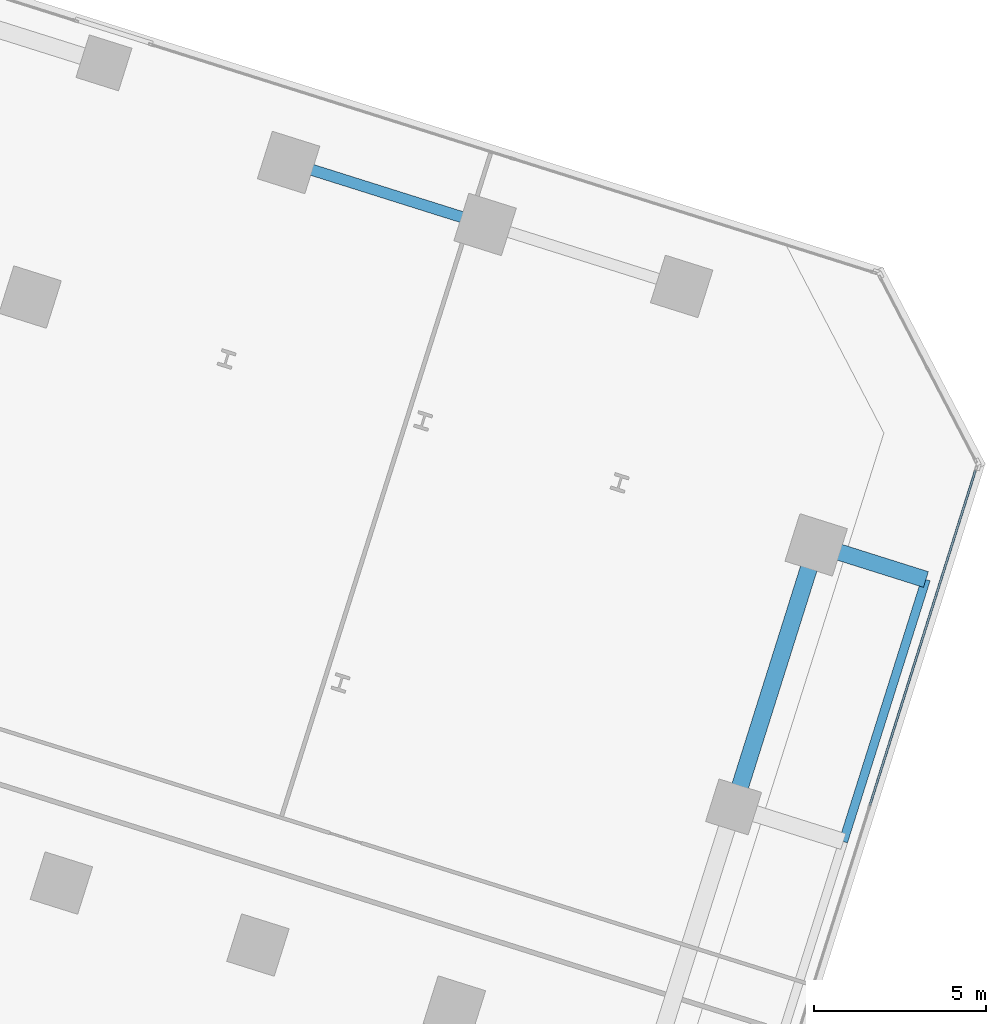
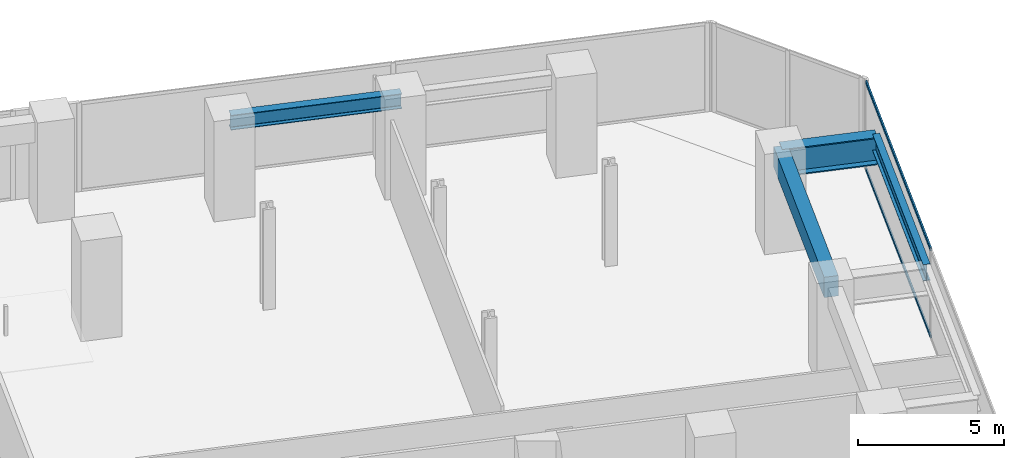
# One storey, part 10 of 28: 4 beams, 2 members, 1 element without a shape of its own.
"""IFC4 building model written with IfcOpenShell, lengths in metres."""

from ifc_helpers import new_model, si_unit, direction, frame, origin, origin_2d, place, context, subcontext, project, spatial, rectangle, hollow_rectangle, i_section, extrude, source, transform, mapped, material, material_profile, profile_set, type_object, element, aggregate, save


model = new_model("IFC4")

# Units and contexts
model_context = context("Model", 3, precision=1e-05, world=origin(), true_north=direction((0.0, 1.0)))
body_context = subcontext(model_context, "Body", "Model", "MODEL_VIEW")
ifc_project = project(units=[si_unit("LENGTHUNIT", "METRE"), si_unit("AREAUNIT", "SQUARE_METRE"), si_unit("VOLUMEUNIT", "CUBIC_METRE"), si_unit("PLANEANGLEUNIT", "RADIAN"), si_unit("MASSUNIT", "GRAM", prefix="KILO")], contexts=[model_context])

# Site, building, storey
site_placement = place(None, origin())
site = spatial("IfcSite", under=ifc_project, at=site_placement, CompositionType="ELEMENT")
building_placement = place(site_placement, origin())
building = spatial("IfcBuilding", under=site, at=building_placement, Name="Torre Montelarca", CompositionType="ELEMENT")
storey_placement = place(building_placement, frame((0.0, 0.0, 112.60009765625)))
storey = spatial("IfcBuildingStorey", under=building, at=storey_placement, Name="L25", CompositionType="ELEMENT", Elevation=112.60009765625)

# Beams
ifc_material_1 = material(Name="Steel ASTM A992 Grade 50", Category="steel")
ifc_material_profile_1 = material_profile(ifc_material_1, i_section(OverallWidth=0.326904296875, OverallDepth=0.6220703125, WebThickness=0.015380859375, FlangeThickness=0.0244140625, FilletRadius=0.014892578125, at=origin_2d()), Name="W610X195", Category="steel")
ifc_profile_set_1 = profile_set([ifc_material_profile_1], Name="Steel ASTM A992 Grade 50")
beam_type_1 = type_object("IfcBeamType", Name="BM-G-W610H", PredefinedType="BEAM", material=ifc_profile_set_1)
shared_shape_1 = source(origin(), body_context, "Body", "SweptSolid", [
    extrude(i_section(OverallWidth=0.326904296875, OverallDepth=0.6220703125, WebThickness=0.015380859375, FlangeThickness=0.0244140625, FilletRadius=0.014892578125, at=origin_2d()), origin(), (0.0, 0.0, 1.0), 6.0),
])
beam_1_placement = place(storey_placement, frame((45.260986328125, 39.1875, 3.64892578125), z_axis=(0.953720315082, -0.300695128993, 0.0), x_axis=(0.300695128993, 0.953720315082, 0.0)))
element("IfcBeam", 1, at=beam_1_placement, inside=storey, type_object=beam_type_1, Name="L25 Grid Girder X 42.0-48.0 at Y=46.0", PredefinedType="BEAM", context=body_context, shape_type="MappedRepresentation", body=[
    mapped(shared_shape_1, transform((0.0, 0.0, 0.0), scale=1.0)),
])
ifc_material_2 = material(Name="Concrete C55/67", Category="concrete")
ifc_material_profile_2 = material_profile(ifc_material_2, rectangle(XDim=0.5, YDim=0.85009765625, at=origin_2d()), Name="RCB500X850", Category="concrete")
ifc_profile_set_2 = profile_set([ifc_material_profile_2], Name="Concrete C55/67")
beam_type_2 = type_object("IfcBeamType", Name="BM-SP-RC850-EXT", PredefinedType="SPANDREL", material=ifc_profile_set_2)
shared_shape_2 = source(origin(), body_context, "Body", "SweptSolid", [
    extrude(rectangle(XDim=0.5, YDim=0.85009765625, at=origin_2d()), origin(), (0.0, 0.0, 1.0), 8.0),
])
beam_2_placement = place(storey_placement, frame((58.218017578125, 20.4228515625, 3.534912109375), z_axis=(0.300722386371, 0.953711720771, 0.0), x_axis=(-0.953711720771, 0.300722386371, 0.0)))
element("IfcBeam", 2, at=beam_2_placement, inside=storey, type_object=beam_type_2, Name="L25 Grid Girder Y 32.0-40.0 at X=60.0", PredefinedType="SPANDREL", context=body_context, shape_type="MappedRepresentation", body=[
    mapped(shared_shape_2, transform((0.0, 0.0, 0.0), scale=1.0)),
])
ifc_material_3 = material(Name="Steel ASTM A572 Grade 50", Category="steel")
ifc_material_profile_3 = material_profile(ifc_material_3, i_section(OverallWidth=0.47998046875, OverallDepth=1.14990234375, WebThickness=0.02197265625, FlangeThickness=0.044921875, at=origin_2d()), Name="PG1150X480X22X45", Category="steel")
ifc_profile_set_3 = profile_set([ifc_material_profile_3], Name="Steel ASTM A572 Grade 50")
beam_type_3 = type_object("IfcBeamType", Name="BM-CG-PG1400-EXT", PredefinedType="USERDEFINED", material=ifc_profile_set_3)
shared_shape_3 = source(origin(), body_context, "Body", "SweptSolid", [
    extrude(i_section(OverallWidth=0.47998046875, OverallDepth=1.14990234375, WebThickness=0.02197265625, FlangeThickness=0.044921875, at=origin_2d()), origin(), (0.0, 0.0, 1.0), 3.349853515625),
])
beam_3_placement = place(storey_placement, frame((60.623779296875, 28.052490234375, 3.385009765625), z_axis=(0.95371694973, -0.300705802735, 0.0), x_axis=(0.300705802735, 0.95371694973, 0.0)))
element("IfcBeam", 3, at=beam_3_placement, inside=storey, type_object=beam_type_3, Name="L25 Sliding Tray Cantilever Girder East Y=40m (FLR)", ObjectType="CANTILEVER GIRDER", PredefinedType="USERDEFINED", context=body_context, shape_type="MappedRepresentation", body=[
    mapped(shared_shape_3, transform((0.0, 0.0, 0.0), scale=1.0)),
])
ifc_material_profile_4 = material_profile(ifc_material_1, i_section(OverallWidth=0.256103515625, OverallDepth=0.693115234375, WebThickness=0.014404296875, FlangeThickness=0.023681640625, FilletRadius=0.01806640625, at=origin_2d()), Name="W690X170", Category="steel")
ifc_profile_set_4 = profile_set([ifc_material_profile_4], Name="Steel ASTM A992 Grade 50")
beam_type_4 = type_object("IfcBeamType", Name="BM-G-W690-EXT", PredefinedType="BEAM", material=ifc_profile_set_4)
shared_shape_4 = source(origin(), body_context, "Body", "SweptSolid", [
    extrude(i_section(OverallWidth=0.256103515625, OverallDepth=0.693115234375, WebThickness=0.014404296875, FlangeThickness=0.023681640625, FilletRadius=0.01806640625, at=origin_2d()), origin(), (0.0, 0.0, 1.0), 7.999755859375),
])
beam_4_placement = place(storey_placement, frame((61.4130859375, 19.41552734375, 3.614013671875), z_axis=(0.300694628035, 0.953720473027, 0.0), x_axis=(-0.953720473027, 0.300694628035, 0.0)))
element("IfcBeam", 4, at=beam_4_placement, inside=storey, type_object=beam_type_4, Name="L25 Sliding Tray Edge Girder East 32-40m (FLR)", PredefinedType="BEAM", context=body_context, shape_type="MappedRepresentation", body=[
    mapped(shared_shape_4, transform((0.0, 0.0, 0.0), scale=1.0)),
])

# Curtain wall, members
ifc_material_4 = material(Name="Insulated low-E laminated glass", Category="glass")
curtain_wall_type = type_object("IfcCurtainWallType", Name="CW-SYS-Z1", PredefinedType="USERDEFINED", material=ifc_material_4)
curtain_wall_placement = place(storey_placement, origin())
curtain_wall = element("IfcCurtainWall", 5, at=curtain_wall_placement, inside=storey, type_object=curtain_wall_type, Name="L25 Curtain Wall Run CW-T3-L25-E06-B1", ObjectType="UNITISED GLAZING", PredefinedType="USERDEFINED")
ifc_material_5 = material(Name="Anodised aluminium AA 6063-T6", Category="aluminium")
ifc_material_profile_5 = material_profile(ifc_material_5, hollow_rectangle(XDim=0.06494140625, YDim=0.139892578125, WallThickness=0.00390625, InnerFilletRadius=0.00390625, OuterFilletRadius=0.008056640625, at=origin_2d()), Name="ALU65X140X4", Category="aluminium")
ifc_profile_set_5 = profile_set([ifc_material_profile_5], Name="Anodised aluminium AA 6063-T6")
member_type = type_object("IfcMemberType", Name="CWT-ALU140", PredefinedType="USERDEFINED", material=ifc_profile_set_5)
shared_shape_5 = source(origin(), body_context, "Body", "SweptSolid", [
    extrude(hollow_rectangle(XDim=0.06494140625, YDim=0.139892578125, WallThickness=0.00390625, InnerFilletRadius=0.00390625, OuterFilletRadius=0.008056640625, at=origin_2d()), origin(), (0.0, 0.0, 1.0), 10.236572265625),
])
member_1_placement = place(storey_placement, frame((62.184326171875, 20.464599609375, 0.032470703125), z_axis=(0.300695315947, 0.953720256138, 0.0), x_axis=(-0.953720256138, 0.300695315947, 0.0)))
member_1 = element("IfcMember", 6, at=member_1_placement, type_object=member_type, Name="CW transom 2.1", ObjectType="TRANSOM", PredefinedType="USERDEFINED", context=body_context, shape_type="MappedRepresentation", body=[
    mapped(shared_shape_5, transform((0.0, 0.0, 0.0), scale=1.0)),
])
member_2_placement = place(storey_placement, frame((62.184326171875, 20.464599609375, 3.6875), z_axis=(0.300695315947, 0.953720256138, 0.0), x_axis=(-0.953720256138, 0.300695315947, 0.0)))
member_2 = element("IfcMember", 7, at=member_2_placement, type_object=member_type, Name="CW transom 2.2", ObjectType="TRANSOM", PredefinedType="USERDEFINED", context=body_context, shape_type="MappedRepresentation", body=[
    mapped(shared_shape_5, transform((0.0, 0.0, 0.0), scale=1.0)),
])
aggregate(curtain_wall, [member_1, member_2])

save(model, "model.ifc")
